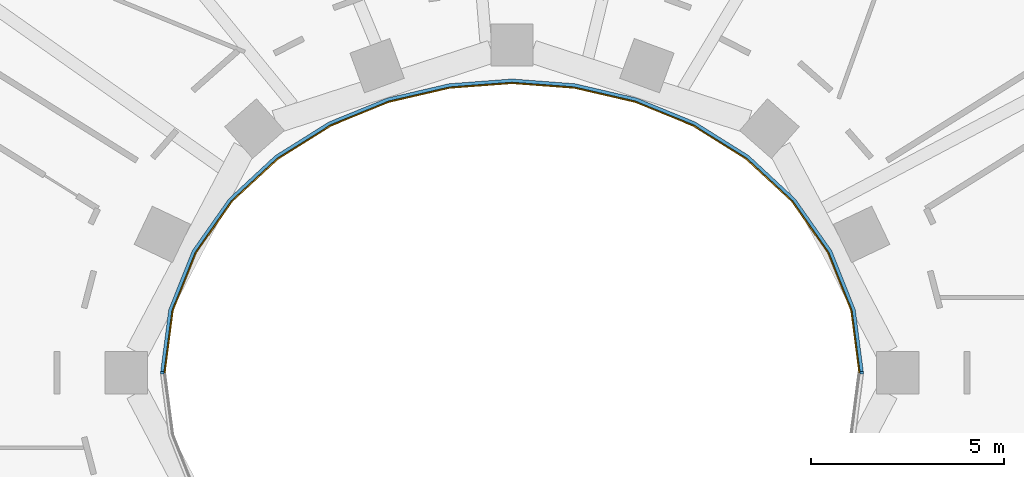
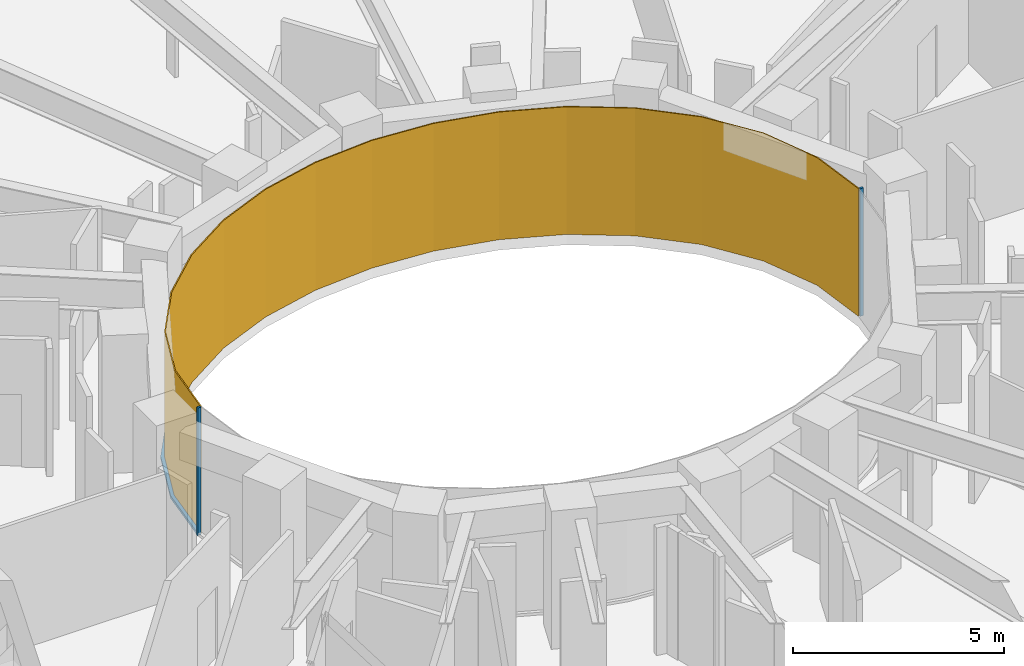
# One storey, part 12 of 16: 3 members, 1 curtain wall.
"""IFC4 building model written with IfcOpenShell, lengths in metres."""

import ifcopenshell
import ifcopenshell.guid

model = None  # the IFC model being written
_history = None  # IfcOwnerHistory: only IFC2X3 demands one
_inside = {}  # id of a spatial element -> (the spatial element, [elements in it])
_under = {}  # id of a project, library or spatial element -> (it, [spatial elements below it])
_declared = {}  # id of a project -> (the project, [libraries it declares])
_typed = {}  # id of a type object -> (the type object, [elements of that type])
_made_of = {}  # id of a material, layer set ... -> (it, [elements and type objects made of it])


def new_model(schema):
    """Start an empty IFC model of exactly this schema.

    Asked for "IFC4X3", IfcOpenShell would pick the latest addendum, in which some entities
    have other attributes; the version numbers below select the first issue.
    IFC2X3 requires an IfcOwnerHistory on every rooted entity: one is made here for all.
    """
    global model, _history
    if schema == "IFC4X3":
        model = ifcopenshell.file(schema_version=(4, 3, 0, 0))
    else:
        model = ifcopenshell.file(schema=schema)
    _inside.clear()
    _under.clear()
    _declared.clear()
    _typed.clear()
    _made_of.clear()
    _history = None
    if model.schema == "IFC2X3":
        org = make("IfcOrganization", Name="unknown")
        user = make(
            "IfcPersonAndOrganization",
            ThePerson=make("IfcPerson", FamilyName="unknown"),
            TheOrganization=org,
        )
        app = make(
            "IfcApplication",
            ApplicationDeveloper=org,
            Version="unknown",
            ApplicationFullName="unknown",
            ApplicationIdentifier="unknown",
        )
        _history = make(
            "IfcOwnerHistory",
            OwningUser=user,
            OwningApplication=app,
            ChangeAction="ADDED",
            CreationDate=0,
        )
    return model


def make(cls, **values):
    """One entity of the class cls with the attributes given. An attribute that is None is left unset."""
    return model.create_entity(
        cls, **{name: value for name, value in values.items() if value is not None}
    )


def rooted(cls, **values):
    """An entity with a GlobalId (a new one), such as an element, a storey or a relation."""
    return make(cls, GlobalId=ifcopenshell.guid.new(), OwnerHistory=_history, **values)


def si_unit(unit_type, name, prefix=None):
    """IfcSIUnit, for example si_unit("LENGTHUNIT", "METRE", prefix="MILLI")."""
    return make("IfcSIUnit", UnitType=unit_type, Prefix=prefix, Name=name)


def assignment(units):
    """IfcUnitAssignment: the units of a project."""
    return None if units is None else make("IfcUnitAssignment", Units=units)


def point(xyz):
    """IfcCartesianPoint."""
    return None if xyz is None else make("IfcCartesianPoint", Coordinates=xyz)


def direction(xyz):
    """IfcDirection."""
    return None if xyz is None else make("IfcDirection", DirectionRatios=xyz)


def frame(location, z_axis=None, x_axis=None):
    """IfcAxis2Placement3D, a coordinate frame: its origin and axes. An axis left out is left unset."""
    return make(
        "IfcAxis2Placement3D",
        Location=point(location),
        Axis=direction(z_axis),
        RefDirection=direction(x_axis),
    )


def frame_2d(location, x_axis=None):
    """IfcAxis2Placement2D, a coordinate frame in the plane: its origin and x axis."""
    return make(
        "IfcAxis2Placement2D", Location=point(location), RefDirection=direction(x_axis)
    )


def origin():
    """The frame at (0, 0, 0) with its axes left unset."""
    return frame((0.0, 0.0, 0.0))


def origin_2d():
    """The frame at (0, 0) in the plane with its x axis left unset."""
    return frame_2d((0.0, 0.0))


def place(relative_to, where):
    """IfcLocalPlacement: puts the frame where relative to a parent placement (None: the world)."""
    return make(
        "IfcLocalPlacement", PlacementRelTo=relative_to, RelativePlacement=where
    )


def context(
    kind, dimensions, precision=None, world=None, true_north=None, identifier=None
):
    """IfcGeometricRepresentationContext, for example the 3D "Model" context."""
    return make(
        "IfcGeometricRepresentationContext",
        ContextIdentifier=identifier,
        ContextType=kind,
        CoordinateSpaceDimension=dimensions,
        Precision=precision,
        WorldCoordinateSystem=world,
        TrueNorth=true_north,
    )


def subcontext(parent, identifier, kind, view, scale=None):
    """IfcGeometricRepresentationSubContext, for example "Body" below "Model"."""
    return make(
        "IfcGeometricRepresentationSubContext",
        ContextIdentifier=identifier,
        ContextType=kind,
        ParentContext=parent,
        TargetScale=scale,
        TargetView=view,
    )


def project(units=None, contexts=None):
    """IfcProject with its units and contexts."""
    return rooted(
        "IfcProject",
        Name="project",
        RepresentationContexts=contexts,
        UnitsInContext=assignment(units),
    )


def spatial(cls, under=None, at=None, **own):
    """A site, building, storey or space (cls), placed at a placement, below another one or the project."""
    s = rooted(cls, ObjectPlacement=at, **own)
    if under is not None:
        _under.setdefault(under.id(), (under, []))[1].append(s)
    return s


def polyline(points):
    """IfcPolyline through the points."""
    return make("IfcPolyline", Points=[point(p) for p in points])


def profile(cls, at=None, kind="AREA", **sizes):
    """A parametric profile (cls). Its sizes go by their IFC names, for example OverallWidth=200.0."""
    return make(cls, ProfileType=kind, Position=at, **sizes)


def rectangle(**sizes):
    """IfcRectangleProfileDef."""
    return profile("IfcRectangleProfileDef", **sizes)


def outline(outer, holes=None, kind="AREA"):
    """IfcArbitraryClosedProfileDef: a profile drawn as a closed curve; with holes, ...WithVoids."""
    if holes is None:
        return make("IfcArbitraryClosedProfileDef", ProfileType=kind, OuterCurve=outer)
    return make(
        "IfcArbitraryProfileDefWithVoids",
        ProfileType=kind,
        OuterCurve=outer,
        InnerCurves=holes,
    )


def extrude(swept, where, along, depth):
    """IfcExtrudedAreaSolid: the profile swept, set in the frame where, extruded along a direction by depth."""
    return make(
        "IfcExtrudedAreaSolid",
        SweptArea=swept,
        Position=where,
        ExtrudedDirection=direction(along),
        Depth=depth,
    )


def shape(context_of_items, identifier, shape_type, items):
    """IfcShapeRepresentation: the items that make up one representation, for example the "Body"."""
    return make(
        "IfcShapeRepresentation",
        ContextOfItems=context_of_items,
        RepresentationIdentifier=identifier,
        RepresentationType=shape_type,
        Items=items,
    )


def material(Name=None, Category=None):
    """IfcMaterial."""
    return make("IfcMaterial", Name=Name, Category=Category)


def layer(
    of_material, thickness, ventilated=None, Name=None, Category=None, Priority=None
):
    """IfcMaterialLayer: one layer of a wall or slab, of a material (None: an air gap)."""
    return make(
        "IfcMaterialLayer",
        Material=of_material,
        LayerThickness=thickness,
        IsVentilated=ventilated,
        Name=Name,
        Category=Category,
        Priority=Priority,
    )


def layer_set(layers, Name=None):
    """IfcMaterialLayerSet."""
    return make("IfcMaterialLayerSet", MaterialLayers=layers, LayerSetName=Name)


def material_profile(
    of_material, cross_section, Name=None, Category=None, Priority=None
):
    """IfcMaterialProfile: a cross section and its material."""
    return make(
        "IfcMaterialProfile",
        Name=Name,
        Material=of_material,
        Profile=cross_section,
        Priority=Priority,
        Category=Category,
    )


def profile_set(profiles, Name=None, composite=None):
    """IfcMaterialProfileSet."""
    return make(
        "IfcMaterialProfileSet",
        Name=Name,
        MaterialProfiles=profiles,
        CompositeProfile=composite,
    )


def made_of(thing, what):
    """Note that an element or type object is made of a material, layer set ...; save() writes the relation."""
    if what is not None:
        _made_of.setdefault(what.id(), (what, []))[1].append(thing)
    return thing


def type_object(cls, material=None, **own):
    """A type object (cls), such as IfcWallType, which elements share."""
    return made_of(rooted(cls, **own), material)


def element(
    cls,
    number,
    at=None,
    inside=None,
    cuts=None,
    type_object=None,
    material=None,
    context=None,
    identifier="Body",
    shape_type=None,
    held_by="IfcProductDefinitionShape",
    body=None,
    shapes=None,
    **own,
):
    """One element of the class cls, such as IfcWall. Its Tag is "e" and its number.

    at: its placement. inside: the storey or other place that contains it. cuts: it is an
    opening in that element (IfcRelVoidsElement). A single representation is given by context,
    identifier, shape_type and body (its items); several are given by shapes. held_by: the class
    of the entity that holds the representations. save() writes the other relations.
    """
    e = rooted(cls, Tag="e%d" % number, ObjectPlacement=at, **own)
    if body is not None:
        shapes = [shape(context, identifier, shape_type, body)]
    if shapes is not None:
        e.Representation = make(held_by, Representations=shapes)
    if inside is not None:
        _inside.setdefault(inside.id(), (inside, []))[1].append(e)
    if cuts is not None:
        rooted(
            "IfcRelVoidsElement", RelatingBuildingElement=cuts, RelatedOpeningElement=e
        )
    if type_object is not None:
        _typed.setdefault(type_object.id(), (type_object, []))[1].append(e)
    return made_of(e, material)


def aggregate(whole, parts):
    """IfcRelAggregates: a whole, such as a stair, and the parts it consists of."""
    return rooted("IfcRelAggregates", RelatingObject=whole, RelatedObjects=parts)


def save(model, path):
    """Write the relations noted so far, then the file.

    IfcRelAggregates (storeys below a building ...), IfcRelContainedInSpatialStructure (elements
    in a storey), IfcRelDefinesByType, IfcRelAssociatesMaterial and IfcRelDeclares: one each for
    every whole, place, type object, material and project.
    """
    for whole, parts in _under.values():
        aggregate(whole, parts)
    for where, things in _inside.values():
        rooted(
            "IfcRelContainedInSpatialStructure",
            RelatedElements=things,
            RelatingStructure=where,
        )
    for kind, things in _typed.values():
        rooted("IfcRelDefinesByType", RelatedObjects=things, RelatingType=kind)
    for what, things in _made_of.values():
        rooted("IfcRelAssociatesMaterial", RelatedObjects=things, RelatingMaterial=what)
    for by, libraries in _declared.values():
        rooted("IfcRelDeclares", RelatingContext=by, RelatedDefinitions=libraries)
    model.write(path)


model = new_model("IFC4")

# Units and contexts
model_context = context("Model", 3, precision=1e-05, world=origin(), true_north=direction((0.0, 1.0)))
body_context = subcontext(model_context, "Body", "Model", "MODEL_VIEW")
ifc_project = project(units=[si_unit("LENGTHUNIT", "METRE"), si_unit("AREAUNIT", "SQUARE_METRE"), si_unit("VOLUMEUNIT", "CUBIC_METRE"), si_unit("PLANEANGLEUNIT", "RADIAN"), si_unit("MASSUNIT", "GRAM", prefix="KILO")], contexts=[model_context])

# Member
ifc_material_1 = material(Name="Steel S355 fire-resisting frame", Category="steel")
ifc_material_profile = material_profile(ifc_material_1, rectangle(XDim=0.090087890625, YDim=0.06005859375, at=origin_2d()), Name="90x60")
ifc_profile_set = profile_set([ifc_material_profile], Name="Steel S355 fire-resisting frame")
member_type_1 = type_object("IfcMemberType", Name="ENV-MULLION-W-90", PredefinedType="MULLION", material=ifc_profile_set)
site_placement = place(None, origin())
building_placement = place(site_placement, origin())
storey_placement = place(building_placement, frame((0.0, 0.0, 150.0)))
member_1_placement = place(storey_placement, frame((9.076904296875, 0.0, 0.0), z_axis=(0.0, 0.0, 1.0), x_axis=(1.0, 0.0, 0.0)))
member_1 = element("IfcMember", 1, at=member_1_placement, type_object=member_type_1, Name="Mullion W well vertex 01", PredefinedType="MULLION", context=body_context, shape_type="SweptSolid", body=[
    extrude(rectangle(XDim=0.090087890625, YDim=0.06005859375, at=origin_2d()), origin(), (0.0, 0.0, 1.0), 3.699951171875),
])

member_2_placement = place(storey_placement, frame((-9.076904296875, 0.0, 0.0), z_axis=(0.0, 0.0, 1.0), x_axis=(-1.0, 0.0, 0.0)))
member_2 = element("IfcMember", 2, at=member_2_placement, type_object=member_type_1, Name="Mullion W well vertex 17", PredefinedType="MULLION", context=body_context, shape_type="SweptSolid", body=[
    extrude(rectangle(XDim=0.090087890625, YDim=0.06005859375, at=origin_2d()), origin(), (0.0, 0.0, 1.0), 3.699951171875),
])

ifc_material_2 = material(Name="Steel S355 fire-resisting frame", Category="steel")
member_type_2 = type_object("IfcMemberType", Name="ENV-TRANSOM-W", PredefinedType="USERDEFINED", material=ifc_material_2)
member_3_placement = place(storey_placement, origin())
member_3 = element("IfcMember", 3, at=member_3_placement, type_object=member_type_2, Name="Transom W well 01-17", ObjectType="TRANSOM", PredefinedType="USERDEFINED", context=body_context, shape_type="SweptSolid", body=[
    extrude(outline(polyline([(9.119384765625, 0.02783203125), (8.910400390625, 1.63623046875), (8.29833984375, 3.167236328125), (7.35107421875, 4.5146484375), (6.1455078125, 5.6337890625), (4.75341796875, 6.50634765625), (3.233642578125, 7.127685546875), (1.635498046875, 7.498779296875), (0.0, 7.622314453125), (-1.635498046875, 7.498779296875), (-3.233642578125, 7.127685546875), (-4.75341796875, 6.50634765625), (-6.1455078125, 5.6337890625), (-7.35107421875, 4.5146484375), (-8.29833984375, 3.167236328125), (-8.910400390625, 1.63623046875), (-9.119384765625, 0.02783203125), (-9.02880859375, 0.02783203125), (-8.822509765625, 1.61328125), (-8.21875, 3.124267578125), (-7.282958984375, 4.455078125), (-6.090576171875, 5.56201171875), (-4.712158203125, 6.426025390625), (-3.206298828125, 7.04150390625), (-1.621826171875, 7.40966796875), (0.0, 7.531982421875), (1.621826171875, 7.40966796875), (3.206298828125, 7.04150390625), (4.712158203125, 6.426025390625), (6.090576171875, 5.56201171875), (7.282958984375, 4.455078125), (8.21875, 3.124267578125), (8.822509765625, 1.61328125), (9.02880859375, 0.02783203125), (9.119384765625, 0.02783203125)])), origin(), (0.0, 0.0, 1.0), 0.080078125),
])

# Site, building, storey
site = spatial("IfcSite", under=ifc_project, at=site_placement, CompositionType="ELEMENT")
building = spatial("IfcBuilding", under=site, at=building_placement, Name="Noorbagh Ring Tower", CompositionType="ELEMENT")
storey = spatial("IfcBuildingStorey", under=building, at=storey_placement, Name="L34", CompositionType="ELEMENT", Elevation=150.0)

# Curtain wall
ifc_material_3 = material(Name="Glass fire-resisting E60 laminated", Category="glass")
ifc_layer = layer(ifc_material_3, 0.031982421875)
ifc_layer_set = layer_set([ifc_layer], Name="Glass fire-resisting E60 laminated")
curtain_wall_type = type_object("IfcCurtainWallType", Name="ENV-CW-W", PredefinedType="NOTDEFINED", material=ifc_layer_set)
curtain_wall_placement = place(storey_placement, origin())
curtain_wall = element("IfcCurtainWall", 4, at=curtain_wall_placement, inside=storey, type_object=curtain_wall_type, Name="Curtain wall W W01", PredefinedType="NOTDEFINED", context=body_context, shape_type="SweptSolid", body=[
    extrude(outline(polyline([(9.0322265625, 0.0), (8.822509765625, 1.61328125), (8.21875, 3.124267578125), (7.282958984375, 4.455078125), (6.090576171875, 5.56201171875), (4.712158203125, 6.426025390625), (3.206298828125, 7.04150390625), (1.621826171875, 7.40966796875), (0.0, 7.531982421875), (-1.621826171875, 7.40966796875), (-3.206298828125, 7.04150390625), (-4.712158203125, 6.426025390625), (-6.090576171875, 5.56201171875), (-7.282958984375, 4.455078125), (-8.21875, 3.124267578125), (-8.822509765625, 1.61328125), (-9.0322265625, 0.0), (-9.0, 0.0), (-8.79150390625, 1.605224609375), (-8.1904296875, 3.10888671875), (-7.2587890625, 4.43408203125), (-6.071044921875, 5.53662109375), (-4.697509765625, 6.3974609375), (-3.196533203125, 7.010986328125), (-1.6171875, 7.3779296875), (0.0, 7.5), (1.6171875, 7.3779296875), (3.196533203125, 7.010986328125), (4.697509765625, 6.3974609375), (6.071044921875, 5.53662109375), (7.2587890625, 4.43408203125), (8.1904296875, 3.10888671875), (8.79150390625, 1.605224609375), (9.0, 0.0), (9.0322265625, 0.0)])), origin(), (0.0, 0.0, 1.0), 3.699951171875),
])

aggregate(curtain_wall, [member_1, member_2, member_3])

save(model, "model.ifc")
